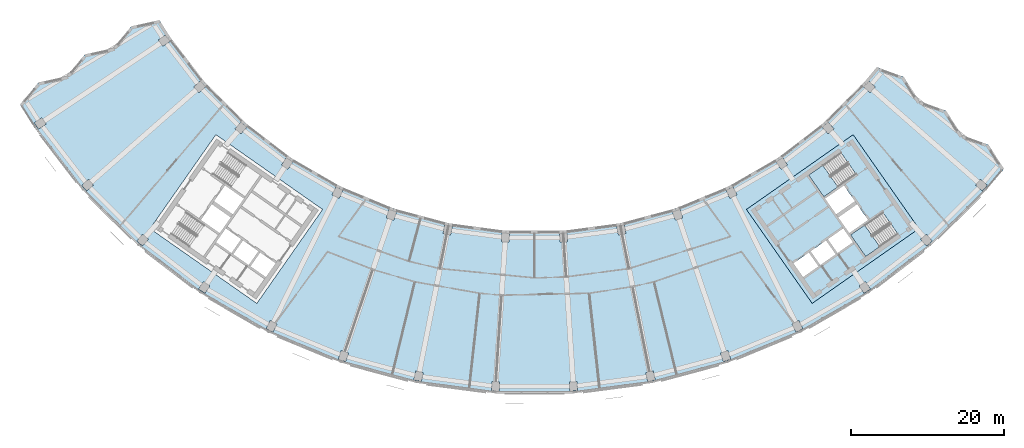
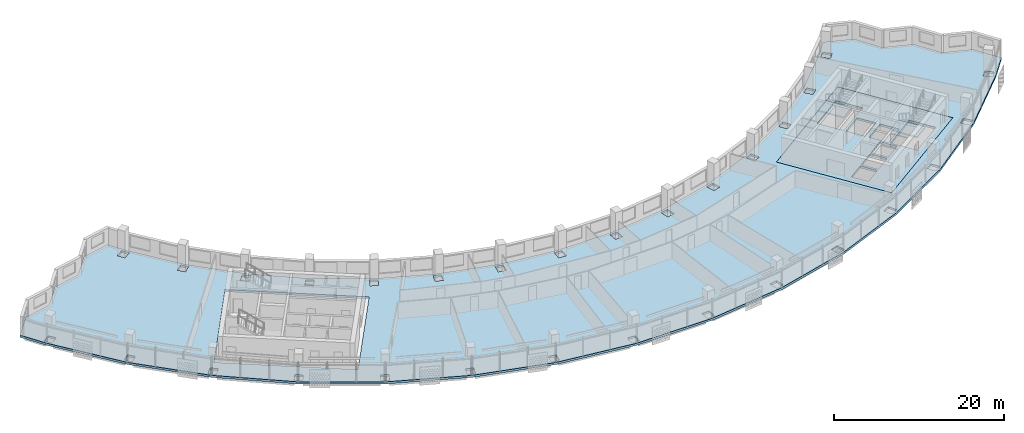
# One storey, part 2 of 28: 4 slabs, 2 elements without a shape of their own.
"""IFC4 building model written with IfcOpenShell, lengths in metres."""

from ifc_helpers import new_model, si_unit, direction, frame, origin, place, context, subcontext, project, spatial, polyline, outline, extrude, material, layer, layer_set, type_object, element, aggregate, save


model = new_model("IFC4")

# Units and contexts
model_context = context("Model", 3, precision=1e-05, world=origin(), true_north=direction((0.0, 1.0)))
body_context = subcontext(model_context, "Body", "Model", "MODEL_VIEW")
ifc_project = project(units=[si_unit("LENGTHUNIT", "METRE"), si_unit("AREAUNIT", "SQUARE_METRE"), si_unit("VOLUMEUNIT", "CUBIC_METRE"), si_unit("PLANEANGLEUNIT", "RADIAN"), si_unit("MASSUNIT", "GRAM", prefix="KILO")], contexts=[model_context])

# Site, building, storey
site_placement = place(None, origin())
site = spatial("IfcSite", under=ifc_project, at=site_placement, CompositionType="ELEMENT")
building_placement = place(site_placement, origin())
building = spatial("IfcBuilding", under=site, at=building_placement, Name="Qamariyya Broadcast Tower", CompositionType="ELEMENT")
storey_placement = place(building_placement, frame((0.0, 0.0, 245.5)))
storey = spatial("IfcBuildingStorey", under=building, at=storey_placement, Name="L59", CompositionType="ELEMENT", Elevation=245.5)

# Slabs
ifc_material_1 = material(Name="Concrete C40/50", Category="concrete")
ifc_layer_1 = layer(ifc_material_1, 0.300048828125)
ifc_layer_set_1 = layer_set([ifc_layer_1], Name="Core floor slab 300 mm Concrete C40/50")
slab_type_1 = type_object("IfcSlabType", Name="Core floor slab 300 mm Concrete C40/50", PredefinedType="FLOOR", material=ifc_layer_set_1)
slab_1_placement = place(storey_placement, frame((0.0, 0.0, -0.300048828125)))
element("IfcSlab", 1, at=slab_1_placement, inside=storey, type_object=slab_type_1, Name="k-E-L59-slab", PredefinedType="FLOOR", context=body_context, shape_type="SweptSolid", body=[
    extrude(outline(polyline([(36.32373046875, -66.734375), (50.286376953125, -56.95751953125), (41.6826171875, -44.67041015625), (27.719970703125, -54.447021484375), (36.32373046875, -66.734375)]), holes=[polyline([(33.87353515625, -61.49169921875), (35.88037109375, -60.08642578125), (37.142333984375, -61.888427734375), (35.13525390625, -63.293701171875), (33.87353515625, -61.49169921875)]), polyline([(36.126220703125, -59.914306640625), (38.133056640625, -58.509033203125), (39.394775390625, -60.311279296875), (37.387939453125, -61.716552734375), (36.126220703125, -59.914306640625)]), polyline([(38.378662109375, -58.3369140625), (40.3857421875, -56.931640625), (41.6474609375, -58.73388671875), (39.640625, -60.13916015625), (38.378662109375, -58.3369140625)]), polyline([(39.742431640625, -55.489990234375), (42.199951171875, -53.769287109375), (43.6337890625, -55.817138671875), (41.17626953125, -57.537841796875), (39.742431640625, -55.489990234375)]), polyline([(39.45556640625, -55.080322265625), (41.9130859375, -53.359619140625), (40.47900390625, -51.311767578125), (38.021728515625, -53.032470703125), (39.45556640625, -55.080322265625)]), polyline([(40.082275390625, -47.01171875), (35.870849609375, -49.960693359375), (37.849609375, -52.78662109375), (42.06103515625, -49.837890625), (40.082275390625, -47.01171875)]), polyline([(45.559814453125, -54.834716796875), (41.348388671875, -57.783447265625), (43.3271484375, -60.609619140625), (47.538818359375, -57.66064453125), (45.559814453125, -54.834716796875)])]), origin(), (0.0, 0.0, 1.0), 0.300048828125),
])
ifc_layer_2 = layer(ifc_material_1, 0.300048828125)
ifc_layer_set_2 = layer_set([ifc_layer_2], Name="Post-tensioned floor slab 300 C40/50")
slab_type_2 = type_object("IfcSlabType", Name="Post-tensioned floor slab 300 C40/50", PredefinedType="FLOOR", material=ifc_layer_set_2)
slab_2_placement = place(storey_placement, frame((0.0, 0.0, -0.300048828125)))
element("IfcSlab", 2, at=slab_2_placement, inside=storey, type_object=slab_type_2, Name="Floor slab S4 L59", PredefinedType="FLOOR", context=body_context, shape_type="SweptSolid", body=[
    extrude(outline(polyline([(-64.8779296875, -37.826904296875), (-67.302978515625, -40.695556640625), (-65.39501953125, -43.695556640625), (-59.132080078125, -51.857666015625), (-51.857666015625, -59.132080078125), (-43.695556640625, -65.39501953125), (-34.785888671875, -70.5390625), (-25.28125, -74.47607421875), (-15.34375, -77.138671875), (-5.14404296875, -78.481689453125), (5.14404296875, -78.481689453125), (15.34375, -77.138671875), (25.28125, -74.47607421875), (34.785888671875, -70.5390625), (43.695556640625, -65.39501953125), (51.857666015625, -59.132080078125), (59.132080078125, -51.857666015625), (61.415283203125, -49.132080078125), (59.385498046875, -45.971435546875), (55.871337890625, -44.69677734375), (53.840576171875, -41.53564453125), (50.3271484375, -40.261474609375), (48.29541015625, -37.099609375), (44.782958984375, -35.826171875), (43.117919921875, -37.8134765625), (37.8134765625, -43.117919921875), (31.862060546875, -47.684814453125), (25.365234375, -51.435546875), (18.4345703125, -54.306396484375), (11.1884765625, -56.248046875), (3.7509765625, -57.227294921875), (-3.7509765625, -57.227294921875), (-11.1884765625, -56.248046875), (-18.4345703125, -54.306396484375), (-25.365234375, -51.435546875), (-31.862060546875, -47.684814453125), (-37.8134765625, -43.117919921875), (-43.117919921875, -37.8134765625), (-47.684814453125, -31.862060546875), (-49.075927734375, -29.67431640625), (-52.724609375, -30.478271484375), (-55.151611328125, -33.34814453125), (-58.80126953125, -34.152587890625), (-61.227294921875, -37.021728515625), (-64.8779296875, -37.826904296875)]), holes=[polyline([(-5.62158203125, -78.12451171875), (-5.54638671875, -76.97705078125), (-4.548583984375, -77.04248046875), (-4.623779296875, -78.18994140625), (-5.62158203125, -78.12451171875)]), polyline([(-15.770751953125, -76.722412109375), (-15.54638671875, -75.594482421875), (-14.565673828125, -75.78955078125), (-14.7900390625, -76.91748046875), (-15.770751953125, -76.722412109375)]), polyline([(-25.650146484375, -74.007568359375), (-25.280517578125, -72.918701171875), (-24.333740234375, -73.239990234375), (-24.703369140625, -74.3291015625), (-25.650146484375, -74.007568359375)]), polyline([(-35.090576171875, -70.0263671875), (-34.58203125, -68.9951171875), (-33.685302734375, -69.437255859375), (-34.19384765625, -70.46875), (-35.090576171875, -70.0263671875)]), polyline([(-43.9306640625, -64.84716796875), (-43.291748046875, -63.890869140625), (-42.46044921875, -64.446533203125), (-43.099365234375, -65.402587890625), (-43.9306640625, -64.84716796875)]), polyline([(-52.019287109375, -58.55810546875), (-51.260986328125, -57.693603515625), (-50.509033203125, -58.35302734375), (-51.267333984375, -59.217529296875), (-52.019287109375, -58.55810546875)]), polyline([(-11.966552734375, -57.59716796875), (-11.7421875, -56.46923828125), (-10.761474609375, -56.664306640625), (-10.98583984375, -57.792236328125), (-11.966552734375, -57.59716796875)]), polyline([(-50.286376953125, -56.95751953125), (-41.6826171875, -44.67041015625), (-27.719970703125, -54.447021484375), (-36.32373046875, -66.734375), (-50.286376953125, -56.95751953125)]), polyline([(-19.382080078125, -55.54248046875), (-19.012451171875, -54.453369140625), (-18.065673828125, -54.77490234375), (-18.435302734375, -55.86376953125), (-19.382080078125, -55.54248046875)]), polyline([(-26.466064453125, -52.537353515625), (-25.95751953125, -51.506103515625), (-25.060546875, -51.9482421875), (-25.569091796875, -52.979736328125), (-26.466064453125, -52.537353515625)]), polyline([(-59.217529296875, -51.267333984375), (-58.35302734375, -50.509033203125), (-57.693603515625, -51.260986328125), (-58.55810546875, -52.019287109375), (-59.217529296875, -51.267333984375)]), polyline([(-33.09716796875, -48.63330078125), (-32.458251953125, -47.67724609375), (-31.626708984375, -48.23291015625), (-32.265625, -49.18896484375), (-33.09716796875, -48.63330078125)]), polyline([(-39.161865234375, -43.897216796875), (-38.40380859375, -43.03271484375), (-37.65185546875, -43.692138671875), (-38.41015625, -44.556640625), (-39.161865234375, -43.897216796875)]), polyline([(-65.402587890625, -43.099365234375), (-64.446533203125, -42.46044921875), (-63.890869140625, -43.291748046875), (-64.84716796875, -43.9306640625), (-65.402587890625, -43.099365234375)]), polyline([(-44.556640625, -38.41015625), (-43.692138671875, -37.65185546875), (-43.03271484375, -38.40380859375), (-43.897216796875, -39.161865234375), (-44.556640625, -38.41015625)]), polyline([(-49.18896484375, -32.265625), (-48.23291015625, -31.626708984375), (-47.67724609375, -32.458251953125), (-48.63330078125, -33.09716796875), (-49.18896484375, -32.265625)]), polyline([(4.623779296875, -78.18994140625), (4.548583984375, -77.04248046875), (5.54638671875, -76.97705078125), (5.62158203125, -78.12451171875), (4.623779296875, -78.18994140625)]), polyline([(14.7900390625, -76.91748046875), (14.565673828125, -75.78955078125), (15.54638671875, -75.594482421875), (15.770751953125, -76.722412109375), (14.7900390625, -76.91748046875)]), polyline([(24.703369140625, -74.3291015625), (24.333740234375, -73.239990234375), (25.280517578125, -72.918701171875), (25.650146484375, -74.007568359375), (24.703369140625, -74.3291015625)]), polyline([(34.19384765625, -70.46875), (33.685302734375, -69.437255859375), (34.58203125, -68.9951171875), (35.090576171875, -70.0263671875), (34.19384765625, -70.46875)]), polyline([(43.099365234375, -65.402587890625), (42.46044921875, -64.446533203125), (43.291748046875, -63.890869140625), (43.9306640625, -64.84716796875), (43.099365234375, -65.402587890625)]), polyline([(51.267333984375, -59.217529296875), (50.509033203125, -58.35302734375), (51.260986328125, -57.693603515625), (52.019287109375, -58.55810546875), (51.267333984375, -59.217529296875)]), polyline([(-4.34619140625, -58.666259765625), (-4.27099609375, -57.518798828125), (-3.273193359375, -57.584228515625), (-3.348388671875, -58.731689453125), (-4.34619140625, -58.666259765625)]), polyline([(3.348388671875, -58.731689453125), (3.273193359375, -57.584228515625), (4.27099609375, -57.518798828125), (4.34619140625, -58.666259765625), (3.348388671875, -58.731689453125)]), polyline([(10.98583984375, -57.792236328125), (10.761474609375, -56.664306640625), (11.7421875, -56.46923828125), (11.966552734375, -57.59716796875), (10.98583984375, -57.792236328125)]), polyline([(36.32373046875, -66.734375), (27.719970703125, -54.447021484375), (41.6826171875, -44.67041015625), (50.286376953125, -56.95751953125), (36.32373046875, -66.734375)]), polyline([(18.435302734375, -55.86376953125), (18.065673828125, -54.77490234375), (19.012451171875, -54.453369140625), (19.382080078125, -55.54248046875), (18.435302734375, -55.86376953125)]), polyline([(25.569091796875, -52.979736328125), (25.060546875, -51.9482421875), (25.95751953125, -51.506103515625), (26.466064453125, -52.537353515625), (25.569091796875, -52.979736328125)]), polyline([(58.55810546875, -52.019287109375), (57.693603515625, -51.260986328125), (58.35302734375, -50.509033203125), (59.217529296875, -51.267333984375), (58.55810546875, -52.019287109375)]), polyline([(32.265625, -49.18896484375), (31.626708984375, -48.23291015625), (32.458251953125, -47.67724609375), (33.09716796875, -48.63330078125), (32.265625, -49.18896484375)]), polyline([(38.41015625, -44.556640625), (37.65185546875, -43.692138671875), (38.40380859375, -43.03271484375), (39.161865234375, -43.897216796875), (38.41015625, -44.556640625)]), polyline([(43.897216796875, -39.161865234375), (43.03271484375, -38.40380859375), (43.692138671875, -37.65185546875), (44.556640625, -38.41015625), (43.897216796875, -39.161865234375)])]), origin(), (0.0, 0.0, 1.0), 0.300048828125),
])

# Stair, slab
ifc_material_2 = material(Name="Concrete C50/60", Category="concrete")
stair_type = type_object("IfcStairType", Name="Exit stair 22 risers of 173 mm", PredefinedType="HALF_TURN_STAIR", material=ifc_material_2)
stair_1_placement = place(storey_placement, origin())
stair_1 = element("IfcStair", 3, at=stair_1_placement, inside=storey, type_object=stair_type, Name="L59 Stair E2", PredefinedType="HALF_TURN_STAIR")
ifc_layer_3 = layer(ifc_material_2, 0.199951171875)
ifc_layer_set_3 = layer_set([ifc_layer_3], Name="Stair landing")
slab_type_3 = type_object("IfcSlabType", Name="Stair landing", PredefinedType="LANDING", material=ifc_layer_set_3)
slab_3_placement = place(storey_placement, frame((0.0, 0.0, 1.699951171875)))
slab_3 = element("IfcSlab", 4, at=slab_3_placement, type_object=slab_type_3, Name="ST-E2 landing 1", PredefinedType="LANDING", context=body_context, shape_type="SweptSolid", body=[
    extrude(outline(polyline([(37.71337890625, -48.67041015625), (35.870849609375, -49.960693359375), (37.849609375, -52.78662109375), (39.692138671875, -51.49658203125), (37.71337890625, -48.67041015625)])), origin(), (0.0, 0.0, 1.0), 0.199951171875),
])
aggregate(stair_1, [slab_3])

stair_2_placement = place(storey_placement, origin())
stair_2 = element("IfcStair", 5, at=stair_2_placement, inside=storey, type_object=stair_type, Name="L59 Stair E1", PredefinedType="HALF_TURN_STAIR")
slab_4_placement = place(storey_placement, frame((0.0, 0.0, 1.699951171875)))
slab_4 = element("IfcSlab", 6, at=slab_4_placement, type_object=slab_type_3, Name="ST-E1 landing 1", PredefinedType="LANDING", context=body_context, shape_type="SweptSolid", body=[
    extrude(outline(polyline([(43.19091796875, -56.493408203125), (41.348388671875, -57.783447265625), (43.3271484375, -60.609619140625), (45.169677734375, -59.319580078125), (43.19091796875, -56.493408203125)])), origin(), (0.0, 0.0, 1.0), 0.199951171875),
])
aggregate(stair_2, [slab_4])

save(model, "model.ifc")
